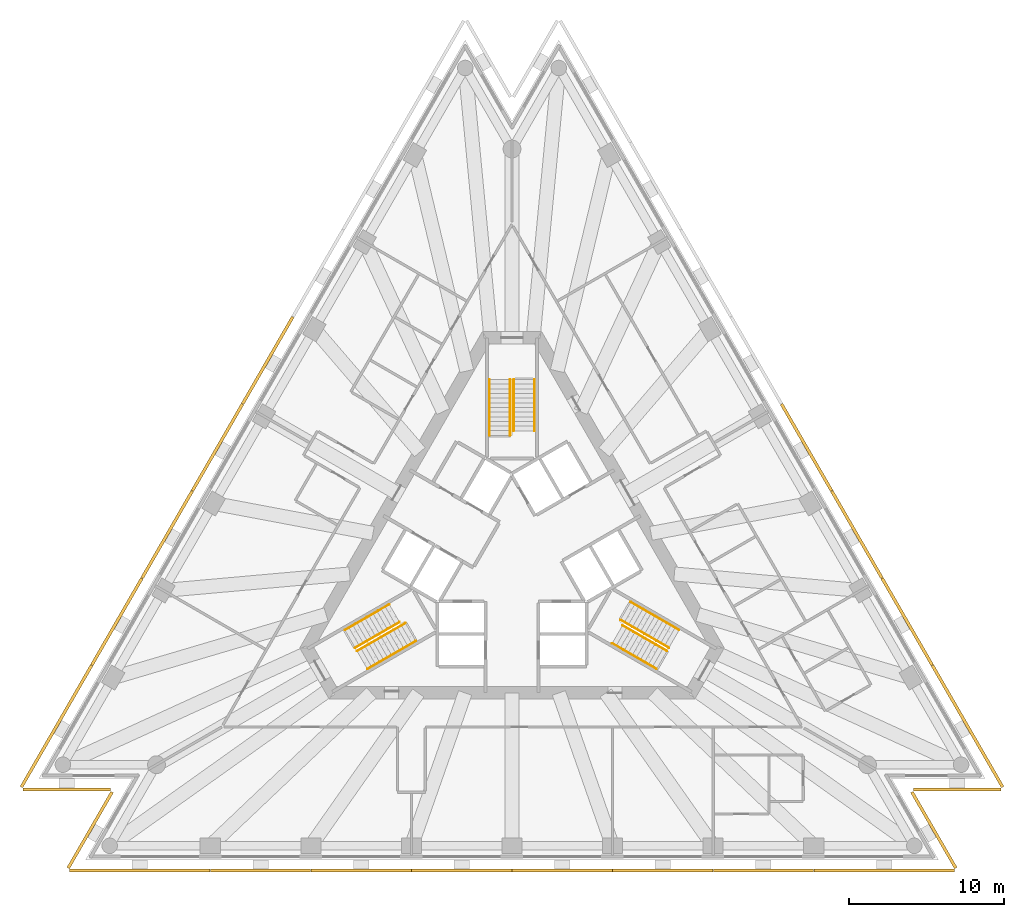
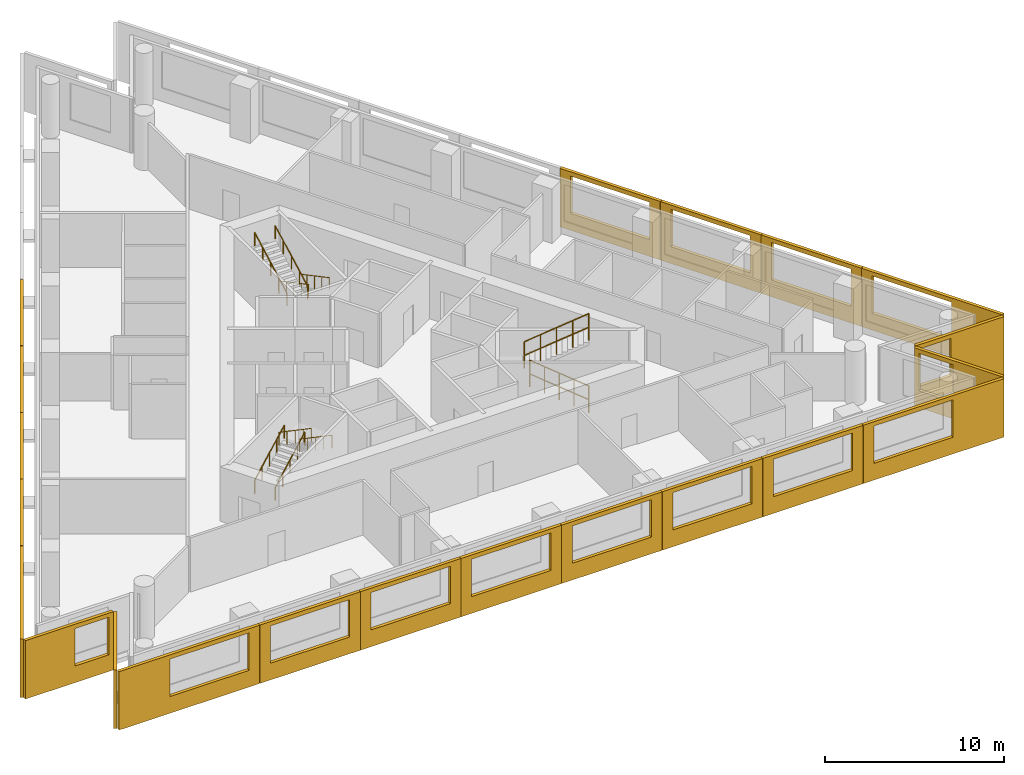
# One storey, part 8 of 9: 21 shading devices, 12 railings, 3 elements without a shape of their own.
"""IFC4 building model written with IfcOpenShell, lengths in metres."""

from ifc_helpers import new_model, si_unit, direction, frame, origin, origin_2d, place, context, subcontext, project, spatial, polyline, circle, outline, extrude, material, layer, layer_set, type_object, element, aggregate, save


model = new_model("IFC4")

# Units and contexts
model_context = context("Model", 3, precision=1e-05, world=origin(), true_north=direction((0.0, 1.0)))
body_context = subcontext(model_context, "Body", "Model", "MODEL_VIEW")
ifc_project = project(units=[si_unit("LENGTHUNIT", "METRE"), si_unit("AREAUNIT", "SQUARE_METRE"), si_unit("VOLUMEUNIT", "CUBIC_METRE"), si_unit("PLANEANGLEUNIT", "RADIAN"), si_unit("MASSUNIT", "GRAM", prefix="KILO")], contexts=[model_context])

# Site, building, storey
site_placement = place(None, origin())
site = spatial("IfcSite", under=ifc_project, at=site_placement, CompositionType="ELEMENT")
building_placement = place(site_placement, origin())
building = spatial("IfcBuilding", under=site, at=building_placement, Name="Triada Interchange Tower", CompositionType="ELEMENT")
storey_placement = place(building_placement, frame((0.0, 0.0, 168.300048828125)))
storey = spatial("IfcBuildingStorey", under=building, at=storey_placement, Name="L39", CompositionType="ELEMENT", Elevation=168.300048828125)

# Shading devices
ifc_material_1 = material(Name="Concrete C50/60 precast", Category="concrete")
ifc_layer_1 = layer(ifc_material_1, 0.02001953125, Name="Exposed aggregate face")
ifc_layer_2 = layer(ifc_material_1, 0.179931640625, Name="Precast concrete screen")
ifc_layer_set = layer_set([ifc_layer_1, ifc_layer_2], Name="Outer skin screen panel 3980")
shading_device_type = type_object("IfcShadingDeviceType", Name="Outer skin screen panel 3980", PredefinedType="SHUTTER", material=ifc_layer_set)
shading_device_1_placement = place(storey_placement, frame((-14.0439453125, 15.58203125, -0.2900390625), z_axis=(0.0, 0.0, 1.0), x_axis=(-0.500129044967, -0.865950886818, 0.0)))
element("IfcShadingDevice", 1, at=shading_device_1_placement, inside=storey, type_object=shading_device_type, Name="Outer skin screen panel L39 04", PredefinedType="SHUTTER", context=body_context, shape_type="SweptSolid", body=[
    extrude(outline(polyline([(0.0, 0.0), (6.462158203125, 0.0), (6.462158203125, 3.97998046875), (0.0, 3.97998046875), (0.0, 0.0)]), holes=[polyline([(0.680908203125, 1.139892578125), (0.680908203125, 3.68994140625), (5.781005859375, 3.68994140625), (5.781005859375, 1.139892578125), (0.680908203125, 1.139892578125)])]), frame((0.0, 0.0, 0.0), z_axis=(0.0, -1.0, 0.0), x_axis=(1.0, 0.0, 0.0)), (0.0, 0.0, 1.0), 0.199951171875),
])
shading_device_2_placement = place(storey_placement, frame((-17.285888671875, 9.968017578125, -0.2900390625), z_axis=(0.0, 0.0, 1.0), x_axis=(-0.500044047809, -0.865999971276, 0.0)))
element("IfcShadingDevice", 2, at=shading_device_2_placement, inside=storey, type_object=shading_device_type, Name="Outer skin screen panel L39 05", PredefinedType="SHUTTER", context=body_context, shape_type="SweptSolid", body=[
    extrude(outline(polyline([(0.0, 0.0), (6.4619140625, 0.0), (6.4619140625, 3.97998046875), (0.0, 3.97998046875), (0.0, 0.0)]), holes=[polyline([(0.6806640625, 1.139892578125), (0.6806640625, 3.68994140625), (5.78076171875, 3.68994140625), (5.78076171875, 1.139892578125), (0.6806640625, 1.139892578125)])]), frame((0.0, 0.0, 0.0), z_axis=(0.0, -1.0, 0.0), x_axis=(1.0, 0.0, 0.0)), (0.0, 0.0, 1.0), 0.199951171875),
])
shading_device_3_placement = place(storey_placement, frame((-20.527099609375, 4.35498046875, -0.2900390625), z_axis=(0.0, 0.0, 1.0), x_axis=(-0.499950276492, -0.866054109762, 0.0)))
element("IfcShadingDevice", 3, at=shading_device_3_placement, inside=storey, type_object=shading_device_type, Name="Outer skin screen panel L39 06", PredefinedType="SHUTTER", context=body_context, shape_type="SweptSolid", body=[
    extrude(outline(polyline([(0.0, 0.0), (6.462646484375, 0.0), (6.462646484375, 3.97998046875), (0.0, 3.97998046875), (0.0, 0.0)]), holes=[polyline([(0.681396484375, 1.139892578125), (0.681396484375, 3.68994140625), (5.781494140625, 3.68994140625), (5.781494140625, 1.139892578125), (0.681396484375, 1.139892578125)])]), frame((0.0, 0.0, 0.0), z_axis=(0.0, -1.0, 0.0), x_axis=(1.0, 0.0, 0.0)), (0.0, 0.0, 1.0), 0.199951171875),
])
shading_device_4_placement = place(storey_placement, frame((-23.76806640625, -1.259033203125, -0.2900390625), z_axis=(0.0, 0.0, 1.0), x_axis=(-0.499950276492, -0.866054109762, 0.0)))
element("IfcShadingDevice", 4, at=shading_device_4_placement, inside=storey, type_object=shading_device_type, Name="Outer skin screen panel L39 07", PredefinedType="SHUTTER", context=body_context, shape_type="SweptSolid", body=[
    extrude(outline(polyline([(0.0, 0.0), (6.462646484375, 0.0), (6.462646484375, 3.97998046875), (0.0, 3.97998046875), (0.0, 0.0)]), holes=[polyline([(0.68115234375, 1.139892578125), (0.68115234375, 3.68994140625), (5.78125, 3.68994140625), (5.78125, 1.139892578125), (0.68115234375, 1.139892578125)])]), frame((0.0, 0.0, 0.0), z_axis=(0.0, -1.0, 0.0), x_axis=(1.0, 0.0, 0.0)), (0.0, 0.0, 1.0), 0.199951171875),
])
shading_device_5_placement = place(storey_placement, frame((-27.009033203125, -6.873046875, -0.2900390625), z_axis=(0.0, 0.0, 1.0), x_axis=(-0.500014034262, -0.866017300948, 0.0)))
element("IfcShadingDevice", 5, at=shading_device_5_placement, inside=storey, type_object=shading_device_type, Name="Outer skin screen panel L39 08", PredefinedType="SHUTTER", context=body_context, shape_type="SweptSolid", body=[
    extrude(outline(polyline([(0.0, 0.0), (9.059814453125, 0.0), (9.059814453125, 3.97998046875), (0.0, 3.97998046875), (0.0, 0.0)]), holes=[polyline([(0.680908203125, 1.139892578125), (0.680908203125, 3.68994140625), (5.781005859375, 3.68994140625), (5.781005859375, 1.139892578125), (0.680908203125, 1.139892578125)])]), frame((0.0, 0.0, 0.0), z_axis=(0.0, -1.0, 0.0), x_axis=(1.0, 0.0, 0.0)), (0.0, 0.0, 1.0), 0.199951171875),
])
shading_device_6_placement = place(storey_placement, frame((-31.533935546875, -14.72802734375, -0.2900390625), z_axis=(0.0, 0.0, 1.0), x_axis=(1.0, 0.0, 0.0)))
element("IfcShadingDevice", 6, at=shading_device_6_placement, inside=storey, type_object=shading_device_type, Name="Outer skin screen panel L39 09", PredefinedType="SHUTTER", context=body_context, shape_type="SweptSolid", body=[
    extrude(outline(polyline([(0.0, 0.0), (5.6669921875, 0.0), (5.6669921875, 3.97998046875), (0.0, 3.97998046875), (0.0, 0.0)]), holes=[polyline([(3.175048828125, 1.139892578125), (3.175048828125, 3.68994140625), (5.366943359375, 3.68994140625), (5.366943359375, 1.139892578125), (3.175048828125, 1.139892578125)])]), frame((0.0, 0.0, 0.0), z_axis=(0.0, -1.0, 0.0), x_axis=(1.0, 0.0, 0.0)), (0.0, 0.0, 1.0), 0.199951171875),
])
shading_device_7_placement = place(storey_placement, frame((-25.68798828125, -15.037109375, -0.2900390625), z_axis=(0.0, 0.0, 1.0), x_axis=(-0.500049351658, -0.865996908716, 0.0)))
element("IfcShadingDevice", 7, at=shading_device_7_placement, inside=storey, type_object=shading_device_type, Name="Outer skin screen panel L39 10", PredefinedType="SHUTTER", context=body_context, shape_type="SweptSolid", body=[
    extrude(outline(polyline([(0.0, 0.0), (5.66748046875, 0.0), (5.66748046875, 3.97998046875), (0.0, 3.97998046875), (0.0, 0.0)]), holes=[polyline([(0.300048828125, 1.139892578125), (0.300048828125, 3.68994140625), (2.258056640625, 3.68994140625), (2.258056640625, 1.139892578125), (0.300048828125, 1.139892578125)])]), frame((0.0, 0.0, 0.0), z_axis=(0.0, -1.0, 0.0), x_axis=(1.0, 0.0, 0.0)), (0.0, 0.0, 1.0), 0.199951171875),
])
shading_device_8_placement = place(storey_placement, frame((-28.51708984375, -19.9541015625, -0.2900390625), z_axis=(0.0, 0.0, 1.0), x_axis=(1.0, 0.0, 0.0)))
element("IfcShadingDevice", 8, at=shading_device_8_placement, inside=storey, type_object=shading_device_type, Name="Outer skin screen panel L39 11", PredefinedType="SHUTTER", context=body_context, shape_type="SweptSolid", body=[
    extrude(outline(polyline([(0.0, 0.0), (9.06005859375, 0.0), (9.06005859375, 3.97998046875), (0.0, 3.97998046875), (0.0, 0.0)]), holes=[polyline([(3.279052734375, 1.139892578125), (3.279052734375, 3.68994140625), (8.37890625, 3.68994140625), (8.37890625, 1.139892578125), (3.279052734375, 1.139892578125)])]), frame((0.0, 0.0, 0.0), z_axis=(0.0, -1.0, 0.0), x_axis=(1.0, 0.0, 0.0)), (0.0, 0.0, 1.0), 0.199951171875),
])
shading_device_9_placement = place(storey_placement, frame((-19.43701171875, -19.9541015625, -0.2900390625), z_axis=(0.0, 0.0, 1.0), x_axis=(1.0, 0.0, 0.0)))
element("IfcShadingDevice", 9, at=shading_device_9_placement, inside=storey, type_object=shading_device_type, Name="Outer skin screen panel L39 12", PredefinedType="SHUTTER", context=body_context, shape_type="SweptSolid", body=[
    extrude(outline(polyline([(0.0, 0.0), (6.462890625, 0.0), (6.462890625, 3.97998046875), (0.0, 3.97998046875), (0.0, 0.0)]), holes=[polyline([(0.6806640625, 1.139892578125), (0.6806640625, 3.68994140625), (5.78076171875, 3.68994140625), (5.78076171875, 1.139892578125), (0.6806640625, 1.139892578125)])]), frame((0.0, 0.0, 0.0), z_axis=(0.0, -1.0, 0.0), x_axis=(1.0, 0.0, 0.0)), (0.0, 0.0, 1.0), 0.199951171875),
])
shading_device_10_placement = place(storey_placement, frame((-12.9541015625, -19.9541015625, -0.2900390625), z_axis=(0.0, 0.0, 1.0), x_axis=(1.0, 0.0, 0.0)))
element("IfcShadingDevice", 10, at=shading_device_10_placement, inside=storey, type_object=shading_device_type, Name="Outer skin screen panel L39 13", PredefinedType="SHUTTER", context=body_context, shape_type="SweptSolid", body=[
    extrude(outline(polyline([(0.0, 0.0), (6.462158203125, 0.0), (6.462158203125, 3.97998046875), (0.0, 3.97998046875), (0.0, 0.0)]), holes=[polyline([(0.681396484375, 1.139892578125), (0.681396484375, 3.68994140625), (5.781494140625, 3.68994140625), (5.781494140625, 1.139892578125), (0.681396484375, 1.139892578125)])]), frame((0.0, 0.0, 0.0), z_axis=(0.0, -1.0, 0.0), x_axis=(1.0, 0.0, 0.0)), (0.0, 0.0, 1.0), 0.199951171875),
])
shading_device_11_placement = place(storey_placement, frame((-6.471923828125, -19.9541015625, -0.2900390625), z_axis=(0.0, 0.0, 1.0), x_axis=(1.0, 0.0, 0.0)))
element("IfcShadingDevice", 11, at=shading_device_11_placement, inside=storey, type_object=shading_device_type, Name="Outer skin screen panel L39 14", PredefinedType="SHUTTER", context=body_context, shape_type="SweptSolid", body=[
    extrude(outline(polyline([(0.0, 0.0), (6.4619140625, 0.0), (6.4619140625, 3.97998046875), (0.0, 3.97998046875), (0.0, 0.0)]), holes=[polyline([(0.68115234375, 1.139892578125), (0.68115234375, 3.68994140625), (5.78125, 3.68994140625), (5.78125, 1.139892578125), (0.68115234375, 1.139892578125)])]), frame((0.0, 0.0, 0.0), z_axis=(0.0, -1.0, 0.0), x_axis=(1.0, 0.0, 0.0)), (0.0, 0.0, 1.0), 0.199951171875),
])
shading_device_12_placement = place(storey_placement, frame((0.010009765625, -19.9541015625, -0.2900390625), z_axis=(0.0, 0.0, 1.0), x_axis=(1.0, 0.0, 0.0)))
element("IfcShadingDevice", 12, at=shading_device_12_placement, inside=storey, type_object=shading_device_type, Name="Outer skin screen panel L39 15", PredefinedType="SHUTTER", context=body_context, shape_type="SweptSolid", body=[
    extrude(outline(polyline([(0.0, 0.0), (6.4619140625, 0.0), (6.4619140625, 3.97998046875), (0.0, 3.97998046875), (0.0, 0.0)]), holes=[polyline([(0.680908203125, 1.139892578125), (0.680908203125, 3.68994140625), (5.781005859375, 3.68994140625), (5.781005859375, 1.139892578125), (0.680908203125, 1.139892578125)])]), frame((0.0, 0.0, 0.0), z_axis=(0.0, -1.0, 0.0), x_axis=(1.0, 0.0, 0.0)), (0.0, 0.0, 1.0), 0.199951171875),
])
shading_device_13_placement = place(storey_placement, frame((6.491943359375, -19.9541015625, -0.2900390625), z_axis=(0.0, 0.0, 1.0), x_axis=(1.0, 0.0, 0.0)))
element("IfcShadingDevice", 13, at=shading_device_13_placement, inside=storey, type_object=shading_device_type, Name="Outer skin screen panel L39 16", PredefinedType="SHUTTER", context=body_context, shape_type="SweptSolid", body=[
    extrude(outline(polyline([(0.0, 0.0), (6.463134765625, 0.0), (6.463134765625, 3.97998046875), (0.0, 3.97998046875), (0.0, 0.0)]), holes=[polyline([(0.680908203125, 1.139892578125), (0.680908203125, 3.68994140625), (5.78076171875, 3.68994140625), (5.78076171875, 1.139892578125), (0.680908203125, 1.139892578125)])]), frame((0.0, 0.0, 0.0), z_axis=(0.0, -1.0, 0.0), x_axis=(1.0, 0.0, 0.0)), (0.0, 0.0, 1.0), 0.199951171875),
])
shading_device_14_placement = place(storey_placement, frame((12.97412109375, -19.9541015625, -0.2900390625), z_axis=(0.0, 0.0, 1.0), x_axis=(1.0, 0.0, 0.0)))
element("IfcShadingDevice", 14, at=shading_device_14_placement, inside=storey, type_object=shading_device_type, Name="Outer skin screen panel L39 17", PredefinedType="SHUTTER", context=body_context, shape_type="SweptSolid", body=[
    extrude(outline(polyline([(0.0, 0.0), (6.462890625, 0.0), (6.462890625, 3.97998046875), (0.0, 3.97998046875), (0.0, 0.0)]), holes=[polyline([(0.681396484375, 1.139892578125), (0.681396484375, 3.68994140625), (5.781494140625, 3.68994140625), (5.781494140625, 1.139892578125), (0.681396484375, 1.139892578125)])]), frame((0.0, 0.0, 0.0), z_axis=(0.0, -1.0, 0.0), x_axis=(1.0, 0.0, 0.0)), (0.0, 0.0, 1.0), 0.199951171875),
])
shading_device_15_placement = place(storey_placement, frame((19.45703125, -19.9541015625, -0.2900390625), z_axis=(0.0, 0.0, 1.0), x_axis=(1.0, 0.0, 0.0)))
element("IfcShadingDevice", 15, at=shading_device_15_placement, inside=storey, type_object=shading_device_type, Name="Outer skin screen panel L39 18", PredefinedType="SHUTTER", context=body_context, shape_type="SweptSolid", body=[
    extrude(outline(polyline([(0.0, 0.0), (9.06005859375, 0.0), (9.06005859375, 3.97998046875), (0.0, 3.97998046875), (0.0, 0.0)]), holes=[polyline([(0.681396484375, 1.139892578125), (0.681396484375, 3.68994140625), (5.78125, 3.68994140625), (5.78125, 1.139892578125), (0.681396484375, 1.139892578125)])]), frame((0.0, 0.0, 0.0), z_axis=(0.0, -1.0, 0.0), x_axis=(1.0, 0.0, 0.0)), (0.0, 0.0, 1.0), 0.199951171875),
])
shading_device_16_placement = place(storey_placement, frame((28.52197265625, -19.945068359375, -0.2900390625), z_axis=(0.0, 0.0, 1.0), x_axis=(-0.500049351658, 0.865996908716, 0.0)))
element("IfcShadingDevice", 16, at=shading_device_16_placement, inside=storey, type_object=shading_device_type, Name="Outer skin screen panel L39 19", PredefinedType="SHUTTER", context=body_context, shape_type="SweptSolid", body=[
    extrude(outline(polyline([(0.0, 0.0), (5.66748046875, 0.0), (5.66748046875, 3.97998046875), (0.0, 3.97998046875), (0.0, 0.0)]), holes=[polyline([(3.17529296875, 1.139892578125), (3.17529296875, 3.68994140625), (5.36767578125, 3.68994140625), (5.36767578125, 1.139892578125), (3.17529296875, 1.139892578125)])]), frame((0.0, 0.0, 0.0), z_axis=(0.0, -1.0, 0.0), x_axis=(1.0, 0.0, 0.0)), (0.0, 0.0, 1.0), 0.199951171875),
])
shading_device_17_placement = place(storey_placement, frame((25.866943359375, -14.72802734375, -0.2900390625), z_axis=(0.0, 0.0, 1.0), x_axis=(1.0, 0.0, 0.0)))
element("IfcShadingDevice", 17, at=shading_device_17_placement, inside=storey, type_object=shading_device_type, Name="Outer skin screen panel L39 20", PredefinedType="SHUTTER", context=body_context, shape_type="SweptSolid", body=[
    extrude(outline(polyline([(0.0, 0.0), (5.6669921875, 0.0), (5.6669921875, 3.97998046875), (0.0, 3.97998046875), (0.0, 0.0)]), holes=[polyline([(0.300048828125, 1.139892578125), (0.300048828125, 3.68994140625), (2.258056640625, 3.68994140625), (2.258056640625, 1.139892578125), (0.300048828125, 1.139892578125)])]), frame((0.0, 0.0, 0.0), z_axis=(0.0, -1.0, 0.0), x_axis=(1.0, 0.0, 0.0)), (0.0, 0.0, 1.0), 0.199951171875),
])
shading_device_18_placement = place(storey_placement, frame((31.5390625, -14.718994140625, -0.2900390625), z_axis=(0.0, 0.0, 1.0), x_axis=(-0.500014034262, 0.866017300948, 0.0)))
element("IfcShadingDevice", 18, at=shading_device_18_placement, inside=storey, type_object=shading_device_type, Name="Outer skin screen panel L39 21", PredefinedType="SHUTTER", context=body_context, shape_type="SweptSolid", body=[
    extrude(outline(polyline([(0.0, 0.0), (9.059814453125, 0.0), (9.059814453125, 3.97998046875), (0.0, 3.97998046875), (0.0, 0.0)]), holes=[polyline([(3.279296875, 1.139892578125), (3.279296875, 3.68994140625), (8.37939453125, 3.68994140625), (8.37939453125, 1.139892578125), (3.279296875, 1.139892578125)])]), frame((0.0, 0.0, 0.0), z_axis=(0.0, -1.0, 0.0), x_axis=(1.0, 0.0, 0.0)), (0.0, 0.0, 1.0), 0.199951171875),
])
shading_device_19_placement = place(storey_placement, frame((26.9990234375, -6.85595703125, -0.2900390625), z_axis=(0.0, 0.0, 1.0), x_axis=(-0.499950276492, 0.866054109762, 0.0)))
element("IfcShadingDevice", 19, at=shading_device_19_placement, inside=storey, type_object=shading_device_type, Name="Outer skin screen panel L39 22", PredefinedType="SHUTTER", context=body_context, shape_type="SweptSolid", body=[
    extrude(outline(polyline([(0.0, 0.0), (6.462646484375, 0.0), (6.462646484375, 3.97998046875), (0.0, 3.97998046875), (0.0, 0.0)]), holes=[polyline([(0.680908203125, 1.139892578125), (0.680908203125, 3.68994140625), (5.781005859375, 3.68994140625), (5.781005859375, 1.139892578125), (0.680908203125, 1.139892578125)])]), frame((0.0, 0.0, 0.0), z_axis=(0.0, -1.0, 0.0), x_axis=(1.0, 0.0, 0.0)), (0.0, 0.0, 1.0), 0.199951171875),
])
shading_device_20_placement = place(storey_placement, frame((23.758056640625, -1.241943359375, -0.2900390625), z_axis=(0.0, 0.0, 1.0), x_axis=(-0.499950276492, 0.866054109762, 0.0)))
element("IfcShadingDevice", 20, at=shading_device_20_placement, inside=storey, type_object=shading_device_type, Name="Outer skin screen panel L39 23", PredefinedType="SHUTTER", context=body_context, shape_type="SweptSolid", body=[
    extrude(outline(polyline([(0.0, 0.0), (6.462646484375, 0.0), (6.462646484375, 3.97998046875), (0.0, 3.97998046875), (0.0, 0.0)]), holes=[polyline([(0.680908203125, 1.139892578125), (0.680908203125, 3.68994140625), (5.78076171875, 3.68994140625), (5.78076171875, 1.139892578125), (0.680908203125, 1.139892578125)])]), frame((0.0, 0.0, 0.0), z_axis=(0.0, -1.0, 0.0), x_axis=(1.0, 0.0, 0.0)), (0.0, 0.0, 1.0), 0.199951171875),
])
shading_device_21_placement = place(storey_placement, frame((20.51708984375, 4.3720703125, -0.2900390625), z_axis=(0.0, 0.0, 1.0), x_axis=(-0.500044047809, 0.865999971276, 0.0)))
element("IfcShadingDevice", 21, at=shading_device_21_placement, inside=storey, type_object=shading_device_type, Name="Outer skin screen panel L39 24", PredefinedType="SHUTTER", context=body_context, shape_type="SweptSolid", body=[
    extrude(outline(polyline([(0.0, 0.0), (6.4619140625, 0.0), (6.4619140625, 3.97998046875), (0.0, 3.97998046875), (0.0, 0.0)]), holes=[polyline([(0.6806640625, 1.139892578125), (0.6806640625, 3.68994140625), (5.780517578125, 3.68994140625), (5.780517578125, 1.139892578125), (0.6806640625, 1.139892578125)])]), frame((0.0, 0.0, 0.0), z_axis=(0.0, -1.0, 0.0), x_axis=(1.0, 0.0, 0.0)), (0.0, 0.0, 1.0), 0.199951171875),
])

# Stair, railings
ifc_material_2 = material(Name="Concrete C35/45", Category="concrete")
stair_type = type_object("IfcStairType", Name="HALF TURN STAIR 1400", PredefinedType="HALF_TURN_STAIR", material=ifc_material_2)
stair_1_placement = place(storey_placement, origin())
stair_1 = element("IfcStair", 22, at=stair_1_placement, inside=storey, type_object=stair_type, Name="Exit stair S38-1", PredefinedType="HALF_TURN_STAIR")
ifc_material_3 = material(Name="Stainless steel 1.4301", Category="steel")
railing_type = type_object("IfcRailingType", Name="STAIR HANDRAIL 900", PredefinedType="HANDRAIL", material=ifc_material_3)
railing_1_placement = place(storey_placement, frame((1.449951171875, 11.60009765625, 0.159912109375)))
railing_1 = element("IfcRailing", 23, at=railing_1_placement, type_object=railing_type, Name="Handrail S38-1 1W", PredefinedType="HANDRAIL", context=body_context, shape_type="SweptSolid", body=[
    extrude(circle(Radius=0.02392578125, at=origin_2d()), frame((0.0, 0.0, 0.8759765625), z_axis=(0.0, -0.882354748157, 0.47058484719), x_axis=(1.0, 0.0, 0.0)), (0.0, 0.0, 1.0), 3.739990234375),
    extrude(circle(Radius=0.02099609375, at=origin_2d()), origin(), (0.0, 0.0, 1.0), 0.851806640625),
    extrude(circle(Radius=0.02099609375, at=origin_2d()), frame((0.0, -0.824951171875, 0.43994140625)), (0.0, 0.0, 1.0), 0.851806640625),
    extrude(circle(Radius=0.02099609375, at=origin_2d()), frame((0.0, -1.64990234375, 0.8798828125)), (0.0, 0.0, 1.0), 0.851806640625),
    extrude(circle(Radius=0.02099609375, at=origin_2d()), frame((0.0, -2.47509765625, 1.320068359375)), (0.0, 0.0, 1.0), 0.851806640625),
    extrude(circle(Radius=0.02099609375, at=origin_2d()), frame((0.0, -3.300048828125, 1.760009765625)), (0.0, 0.0, 1.0), 0.851806640625),
])
railing_2_placement = place(storey_placement, frame((0.1201171875, 11.60009765625, 0.159912109375)))
railing_2 = element("IfcRailing", 24, at=railing_2_placement, type_object=railing_type, Name="Handrail S38-1 1C", PredefinedType="HANDRAIL", context=body_context, shape_type="SweptSolid", body=[
    extrude(circle(Radius=0.02392578125, at=origin_2d()), frame((0.0, 0.0, 0.8759765625), z_axis=(0.0, -0.882354748157, 0.47058484719), x_axis=(1.0, 0.0, 0.0)), (0.0, 0.0, 1.0), 3.739990234375),
    extrude(circle(Radius=0.02099609375, at=origin_2d()), origin(), (0.0, 0.0, 1.0), 0.851806640625),
    extrude(circle(Radius=0.02099609375, at=origin_2d()), frame((0.0, -0.824951171875, 0.43994140625)), (0.0, 0.0, 1.0), 0.851806640625),
    extrude(circle(Radius=0.02099609375, at=origin_2d()), frame((0.0, -1.64990234375, 0.8798828125)), (0.0, 0.0, 1.0), 0.851806640625),
    extrude(circle(Radius=0.02099609375, at=origin_2d()), frame((0.0, -2.47509765625, 1.320068359375)), (0.0, 0.0, 1.0), 0.851806640625),
    extrude(circle(Radius=0.02099609375, at=origin_2d()), frame((0.0, -3.300048828125, 1.760009765625)), (0.0, 0.0, 1.0), 0.851806640625),
])
railing_3_placement = place(storey_placement, frame((-1.449951171875, 8.0, 2.079833984375)))
railing_3 = element("IfcRailing", 25, at=railing_3_placement, type_object=railing_type, Name="Handrail S38-1 2W", PredefinedType="HANDRAIL", context=body_context, shape_type="SweptSolid", body=[
    extrude(circle(Radius=0.02392578125, at=origin_2d()), frame((0.0, 0.0, 0.8759765625), z_axis=(0.0, 0.882341346394, 0.470609974867), x_axis=(-1.0, 0.0, 0.0)), (0.0, 0.0, 1.0), 4.080078125),
    extrude(circle(Radius=0.02099609375, at=origin_2d()), origin(), (0.0, 0.0, 1.0), 0.851806640625),
    extrude(circle(Radius=0.02099609375, at=origin_2d()), frame((0.0, 0.89990234375, 0.47998046875)), (0.0, 0.0, 1.0), 0.851806640625),
    extrude(circle(Radius=0.02099609375, at=origin_2d()), frame((0.0, 1.800048828125, 0.9599609375)), (0.0, 0.0, 1.0), 0.851806640625),
    extrude(circle(Radius=0.02099609375, at=origin_2d()), frame((0.0, 2.7001953125, 1.440185546875)), (0.0, 0.0, 1.0), 0.851806640625),
    extrude(circle(Radius=0.02099609375, at=origin_2d()), frame((0.0, 3.60009765625, 1.920166015625)), (0.0, 0.0, 1.0), 0.851806640625),
])
railing_4_placement = place(storey_placement, frame((-0.1201171875, 8.0, 2.079833984375)))
railing_4 = element("IfcRailing", 26, at=railing_4_placement, type_object=railing_type, Name="Handrail S38-1 2C", PredefinedType="HANDRAIL", context=body_context, shape_type="SweptSolid", body=[
    extrude(circle(Radius=0.02392578125, at=origin_2d()), frame((0.0, 0.0, 0.8759765625), z_axis=(0.0, 0.882341346394, 0.470609974867), x_axis=(-1.0, 0.0, 0.0)), (0.0, 0.0, 1.0), 4.080078125),
    extrude(circle(Radius=0.02099609375, at=origin_2d()), origin(), (0.0, 0.0, 1.0), 0.851806640625),
    extrude(circle(Radius=0.02099609375, at=origin_2d()), frame((0.0, 0.89990234375, 0.47998046875)), (0.0, 0.0, 1.0), 0.851806640625),
    extrude(circle(Radius=0.02099609375, at=origin_2d()), frame((0.0, 1.800048828125, 0.9599609375)), (0.0, 0.0, 1.0), 0.851806640625),
    extrude(circle(Radius=0.02099609375, at=origin_2d()), frame((0.0, 2.7001953125, 1.440185546875)), (0.0, 0.0, 1.0), 0.851806640625),
    extrude(circle(Radius=0.02099609375, at=origin_2d()), frame((0.0, 3.60009765625, 1.920166015625)), (0.0, 0.0, 1.0), 0.851806640625),
])
aggregate(stair_1, [railing_1, railing_2, railing_3, railing_4])

stair_2_placement = place(storey_placement, origin())
stair_2 = element("IfcStair", 27, at=stair_2_placement, inside=storey, type_object=stair_type, Name="Exit stair S38-2", PredefinedType="HALF_TURN_STAIR")
railing_5_placement = place(storey_placement, frame((-10.77099609375, -4.5439453125, 0.159912109375)))
railing_5 = element("IfcRailing", 28, at=railing_5_placement, type_object=railing_type, Name="Handrail S38-2 1W", PredefinedType="HANDRAIL", context=body_context, shape_type="SweptSolid", body=[
    extrude(circle(Radius=0.02392578125, at=origin_2d()), frame((0.0, 0.0, 0.8759765625), z_axis=(0.764150854273, 0.441152526326, 0.470593158077), x_axis=(-0.499974350878, 0.866040211805, 0.0)), (0.0, 0.0, 1.0), 3.739990234375),
    extrude(circle(Radius=0.02099609375, at=origin_2d()), origin(), (0.0, 0.0, 1.0), 0.851806640625),
    extrude(circle(Radius=0.02099609375, at=origin_2d()), frame((0.71435546875, 0.41259765625, 0.43994140625)), (0.0, 0.0, 1.0), 0.851806640625),
    extrude(circle(Radius=0.02099609375, at=origin_2d()), frame((1.428955078125, 0.824951171875, 0.8798828125)), (0.0, 0.0, 1.0), 0.851806640625),
    extrude(circle(Radius=0.02099609375, at=origin_2d()), frame((2.1435546875, 1.2373046875, 1.320068359375)), (0.0, 0.0, 1.0), 0.851806640625),
    extrude(circle(Radius=0.02099609375, at=origin_2d()), frame((2.85791015625, 1.64990234375, 1.760009765625)), (0.0, 0.0, 1.0), 0.851806640625),
])
railing_6_placement = place(storey_placement, frame((-10.10595703125, -5.696044921875, 0.159912109375)))
railing_6 = element("IfcRailing", 29, at=railing_6_placement, type_object=railing_type, Name="Handrail S38-2 1C", PredefinedType="HANDRAIL", context=body_context, shape_type="SweptSolid", body=[
    extrude(circle(Radius=0.02392578125, at=origin_2d()), frame((0.0, 0.0, 0.8759765625), z_axis=(0.76412884773, 0.441205098395, 0.470579605611), x_axis=(-0.50002983664, 0.866008176907, 0.0)), (0.0, 0.0, 1.0), 3.739990234375),
    extrude(circle(Radius=0.02099609375, at=origin_2d()), origin(), (0.0, 0.0, 1.0), 0.851806640625),
    extrude(circle(Radius=0.02099609375, at=origin_2d()), frame((0.71435546875, 0.41259765625, 0.43994140625)), (0.0, 0.0, 1.0), 0.851806640625),
    extrude(circle(Radius=0.02099609375, at=origin_2d()), frame((1.428955078125, 0.8251953125, 0.8798828125)), (0.0, 0.0, 1.0), 0.851806640625),
    extrude(circle(Radius=0.02099609375, at=origin_2d()), frame((2.1435546875, 1.237548828125, 1.320068359375)), (0.0, 0.0, 1.0), 0.851806640625),
    extrude(circle(Radius=0.02099609375, at=origin_2d()), frame((2.85791015625, 1.650146484375, 1.760009765625)), (0.0, 0.0, 1.0), 0.851806640625),
])
railing_7_placement = place(storey_placement, frame((-6.202880859375, -5.256103515625, 2.079833984375)))
railing_7 = element("IfcRailing", 30, at=railing_7_placement, type_object=railing_type, Name="Handrail S38-2 2W", PredefinedType="HANDRAIL", context=body_context, shape_type="SweptSolid", body=[
    extrude(circle(Radius=0.02392578125, at=origin_2d()), frame((0.0, 0.0, 0.8759765625), z_axis=(-0.764189758314, -0.441090424232, 0.470588196769), x_axis=(0.499902469156, -0.866081705922, 0.0)), (0.0, 0.0, 1.0), 4.080322265625),
    extrude(circle(Radius=0.02099609375, at=origin_2d()), origin(), (0.0, 0.0, 1.0), 0.851806640625),
    extrude(circle(Radius=0.02099609375, at=origin_2d()), frame((-0.779541015625, -0.449951171875, 0.47998046875)), (0.0, 0.0, 1.0), 0.851806640625),
    extrude(circle(Radius=0.02099609375, at=origin_2d()), frame((-1.55908203125, -0.89990234375, 0.9599609375)), (0.0, 0.0, 1.0), 0.851806640625),
    extrude(circle(Radius=0.02099609375, at=origin_2d()), frame((-2.338623046875, -1.349853515625, 1.440185546875)), (0.0, 0.0, 1.0), 0.851806640625),
    extrude(circle(Radius=0.02099609375, at=origin_2d()), frame((-3.1181640625, -1.7998046875, 1.920166015625)), (0.0, 0.0, 1.0), 0.851806640625),
])
railing_8_placement = place(storey_placement, frame((-6.867919921875, -4.10400390625, 2.079833984375)))
railing_8 = element("IfcRailing", 31, at=railing_8_placement, type_object=railing_type, Name="Handrail S38-2 2C", PredefinedType="HANDRAIL", context=body_context, shape_type="SweptSolid", body=[
    extrude(circle(Radius=0.02392578125, at=origin_2d()), frame((0.0, 0.0, 0.8759765625), z_axis=(-0.764169589359, -0.441138614339, 0.470575776723), x_axis=(0.49995333141, -0.866052346231, 0.0)), (0.0, 0.0, 1.0), 4.08056640625),
    extrude(circle(Radius=0.02099609375, at=origin_2d()), origin(), (0.0, 0.0, 1.0), 0.851806640625),
    extrude(circle(Radius=0.02099609375, at=origin_2d()), frame((-0.779541015625, -0.449951171875, 0.47998046875)), (0.0, 0.0, 1.0), 0.851806640625),
    extrude(circle(Radius=0.02099609375, at=origin_2d()), frame((-1.55908203125, -0.89990234375, 0.9599609375)), (0.0, 0.0, 1.0), 0.851806640625),
    extrude(circle(Radius=0.02099609375, at=origin_2d()), frame((-2.338623046875, -1.35009765625, 1.440185546875)), (0.0, 0.0, 1.0), 0.851806640625),
    extrude(circle(Radius=0.02099609375, at=origin_2d()), frame((-3.1181640625, -1.800048828125, 1.920166015625)), (0.0, 0.0, 1.0), 0.851806640625),
])
aggregate(stair_2, [railing_5, railing_6, railing_7, railing_8])

stair_3_placement = place(storey_placement, origin())
stair_3 = element("IfcStair", 32, at=stair_3_placement, inside=storey, type_object=stair_type, Name="Exit stair S38-3", PredefinedType="HALF_TURN_STAIR")
railing_9_placement = place(storey_placement, frame((9.321044921875, -7.055908203125, 0.159912109375)))
railing_9 = element("IfcRailing", 33, at=railing_9_placement, type_object=railing_type, Name="Handrail S38-3 1W", PredefinedType="HANDRAIL", context=body_context, shape_type="SweptSolid", body=[
    extrude(circle(Radius=0.02392578125, at=origin_2d()), frame((0.0, 0.0, 0.8759765625), z_axis=(-0.764178012919, 0.441130521168, 0.470569684388), x_axis=(-0.499942318283, -0.866058703778, 0.0)), (0.0, 0.0, 1.0), 3.740234375),
    extrude(circle(Radius=0.02099609375, at=origin_2d()), origin(), (0.0, 0.0, 1.0), 0.851806640625),
    extrude(circle(Radius=0.02099609375, at=origin_2d()), frame((-0.714599609375, 0.41259765625, 0.43994140625)), (0.0, 0.0, 1.0), 0.851806640625),
    extrude(circle(Radius=0.02099609375, at=origin_2d()), frame((-1.42919921875, 0.824951171875, 0.8798828125)), (0.0, 0.0, 1.0), 0.851806640625),
    extrude(circle(Radius=0.02099609375, at=origin_2d()), frame((-2.1435546875, 1.2373046875, 1.320068359375)), (0.0, 0.0, 1.0), 0.851806640625),
    extrude(circle(Radius=0.02099609375, at=origin_2d()), frame((-2.858154296875, 1.64990234375, 1.760009765625)), (0.0, 0.0, 1.0), 0.851806640625),
])
railing_10_placement = place(storey_placement, frame((9.986083984375, -5.904052734375, 0.159912109375)))
railing_10 = element("IfcRailing", 34, at=railing_10_placement, type_object=railing_type, Name="Handrail S38-3 1C", PredefinedType="HANDRAIL", context=body_context, shape_type="SweptSolid", body=[
    extrude(circle(Radius=0.02392578125, at=origin_2d()), frame((0.0, 0.0, 0.8759765625), z_axis=(-0.764156007789, 0.441183091881, 0.47055613395), x_axis=(-0.49999780286, -0.8660266723, 0.0)), (0.0, 0.0, 1.0), 3.740234375),
    extrude(circle(Radius=0.02099609375, at=origin_2d()), origin(), (0.0, 0.0, 1.0), 0.851806640625),
    extrude(circle(Radius=0.02099609375, at=origin_2d()), frame((-0.714599609375, 0.41259765625, 0.43994140625)), (0.0, 0.0, 1.0), 0.851806640625),
    extrude(circle(Radius=0.02099609375, at=origin_2d()), frame((-1.42919921875, 0.8251953125, 0.8798828125)), (0.0, 0.0, 1.0), 0.851806640625),
    extrude(circle(Radius=0.02099609375, at=origin_2d()), frame((-2.1435546875, 1.237548828125, 1.320068359375)), (0.0, 0.0, 1.0), 0.851806640625),
    extrude(circle(Radius=0.02099609375, at=origin_2d()), frame((-2.858154296875, 1.650146484375, 1.760009765625)), (0.0, 0.0, 1.0), 0.851806640625),
])
railing_11_placement = place(storey_placement, frame((7.653076171875, -2.743896484375, 2.079833984375)))
railing_11 = element("IfcRailing", 35, at=railing_11_placement, type_object=railing_type, Name="Handrail S38-3 2W", PredefinedType="HANDRAIL", context=body_context, shape_type="SweptSolid", body=[
    extrude(circle(Radius=0.02392578125, at=origin_2d()), frame((0.0, 0.0, 0.8759765625), z_axis=(0.76414469501, -0.441158784458, 0.470597292793), x_axis=(0.499982693035, 0.866035395735, 0.0)), (0.0, 0.0, 1.0), 4.080322265625),
    extrude(circle(Radius=0.02099609375, at=origin_2d()), origin(), (0.0, 0.0, 1.0), 0.851806640625),
    extrude(circle(Radius=0.02099609375, at=origin_2d()), frame((0.779541015625, -0.449951171875, 0.47998046875)), (0.0, 0.0, 1.0), 0.851806640625),
    extrude(circle(Radius=0.02099609375, at=origin_2d()), frame((1.55908203125, -0.89990234375, 0.9599609375)), (0.0, 0.0, 1.0), 0.851806640625),
    extrude(circle(Radius=0.02099609375, at=origin_2d()), frame((2.33837890625, -1.35009765625, 1.440185546875)), (0.0, 0.0, 1.0), 0.851806640625),
    extrude(circle(Radius=0.02099609375, at=origin_2d()), frame((3.117919921875, -1.800048828125, 1.920166015625)), (0.0, 0.0, 1.0), 0.851806640625),
])
railing_12_placement = place(storey_placement, frame((6.988037109375, -3.89599609375, 2.079833984375)))
railing_12 = element("IfcRailing", 36, at=railing_12_placement, type_object=railing_type, Name="Handrail S38-3 2C", PredefinedType="HANDRAIL", context=body_context, shape_type="SweptSolid", body=[
    extrude(circle(Radius=0.02392578125, at=origin_2d()), frame((0.0, 0.0, 0.8759765625), z_axis=(0.76414469501, -0.441158784458, 0.470597292793), x_axis=(0.499982693035, 0.866035395735, 0.0)), (0.0, 0.0, 1.0), 4.080322265625),
    extrude(circle(Radius=0.02099609375, at=origin_2d()), origin(), (0.0, 0.0, 1.0), 0.851806640625),
    extrude(circle(Radius=0.02099609375, at=origin_2d()), frame((0.779541015625, -0.449951171875, 0.47998046875)), (0.0, 0.0, 1.0), 0.851806640625),
    extrude(circle(Radius=0.02099609375, at=origin_2d()), frame((1.55908203125, -0.89990234375, 0.9599609375)), (0.0, 0.0, 1.0), 0.851806640625),
    extrude(circle(Radius=0.02099609375, at=origin_2d()), frame((2.33837890625, -1.35009765625, 1.440185546875)), (0.0, 0.0, 1.0), 0.851806640625),
    extrude(circle(Radius=0.02099609375, at=origin_2d()), frame((3.117919921875, -1.800048828125, 1.920166015625)), (0.0, 0.0, 1.0), 0.851806640625),
])
aggregate(stair_3, [railing_9, railing_10, railing_11, railing_12])

save(model, "model.ifc")
